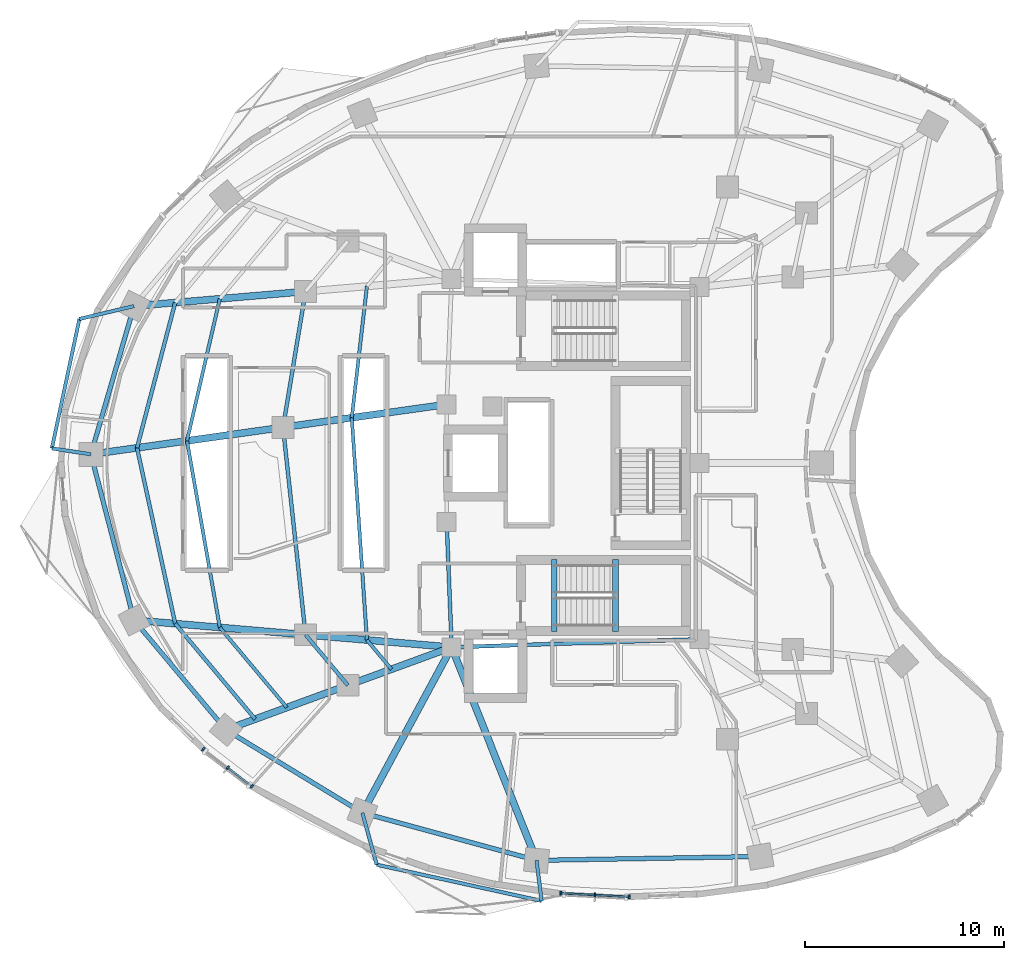
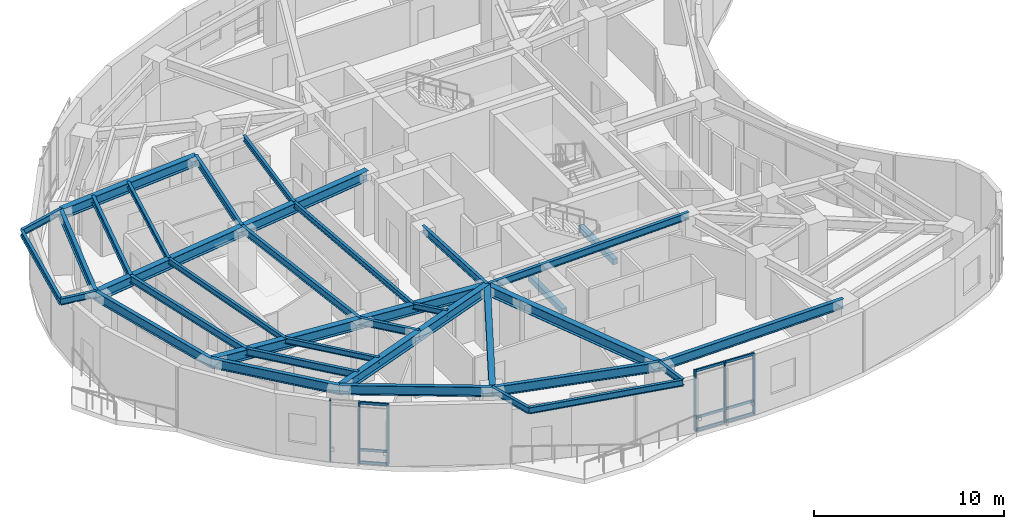
# One storey, part 2 of 14: 37 beams, 15 members, 2 elements without a shape of their own.
"""IFC4 building model written with IfcOpenShell, lengths in metres."""

import ifcopenshell
import ifcopenshell.guid

model = None  # the IFC model being written
_history = None  # IfcOwnerHistory: only IFC2X3 demands one
_inside = {}  # id of a spatial element -> (the spatial element, [elements in it])
_under = {}  # id of a project, library or spatial element -> (it, [spatial elements below it])
_declared = {}  # id of a project -> (the project, [libraries it declares])
_typed = {}  # id of a type object -> (the type object, [elements of that type])
_made_of = {}  # id of a material, layer set ... -> (it, [elements and type objects made of it])


def new_model(schema):
    """Start an empty IFC model of exactly this schema.

    Asked for "IFC4X3", IfcOpenShell would pick the latest addendum, in which some entities
    have other attributes; the version numbers below select the first issue.
    IFC2X3 requires an IfcOwnerHistory on every rooted entity: one is made here for all.
    """
    global model, _history
    if schema == "IFC4X3":
        model = ifcopenshell.file(schema_version=(4, 3, 0, 0))
    else:
        model = ifcopenshell.file(schema=schema)
    _inside.clear()
    _under.clear()
    _declared.clear()
    _typed.clear()
    _made_of.clear()
    _history = None
    if model.schema == "IFC2X3":
        org = make("IfcOrganization", Name="unknown")
        user = make(
            "IfcPersonAndOrganization",
            ThePerson=make("IfcPerson", FamilyName="unknown"),
            TheOrganization=org,
        )
        app = make(
            "IfcApplication",
            ApplicationDeveloper=org,
            Version="unknown",
            ApplicationFullName="unknown",
            ApplicationIdentifier="unknown",
        )
        _history = make(
            "IfcOwnerHistory",
            OwningUser=user,
            OwningApplication=app,
            ChangeAction="ADDED",
            CreationDate=0,
        )
    return model


def make(cls, **values):
    """One entity of the class cls with the attributes given. An attribute that is None is left unset."""
    return model.create_entity(
        cls, **{name: value for name, value in values.items() if value is not None}
    )


def rooted(cls, **values):
    """An entity with a GlobalId (a new one), such as an element, a storey or a relation."""
    return make(cls, GlobalId=ifcopenshell.guid.new(), OwnerHistory=_history, **values)


def si_unit(unit_type, name, prefix=None):
    """IfcSIUnit, for example si_unit("LENGTHUNIT", "METRE", prefix="MILLI")."""
    return make("IfcSIUnit", UnitType=unit_type, Prefix=prefix, Name=name)


def assignment(units):
    """IfcUnitAssignment: the units of a project."""
    return None if units is None else make("IfcUnitAssignment", Units=units)


def point(xyz):
    """IfcCartesianPoint."""
    return None if xyz is None else make("IfcCartesianPoint", Coordinates=xyz)


def direction(xyz):
    """IfcDirection."""
    return None if xyz is None else make("IfcDirection", DirectionRatios=xyz)


def frame(location, z_axis=None, x_axis=None):
    """IfcAxis2Placement3D, a coordinate frame: its origin and axes. An axis left out is left unset."""
    return make(
        "IfcAxis2Placement3D",
        Location=point(location),
        Axis=direction(z_axis),
        RefDirection=direction(x_axis),
    )


def frame_2d(location, x_axis=None):
    """IfcAxis2Placement2D, a coordinate frame in the plane: its origin and x axis."""
    return make(
        "IfcAxis2Placement2D", Location=point(location), RefDirection=direction(x_axis)
    )


def origin():
    """The frame at (0, 0, 0) with its axes left unset."""
    return frame((0.0, 0.0, 0.0))


def origin_2d():
    """The frame at (0, 0) in the plane with its x axis left unset."""
    return frame_2d((0.0, 0.0))


def place(relative_to, where):
    """IfcLocalPlacement: puts the frame where relative to a parent placement (None: the world)."""
    return make(
        "IfcLocalPlacement", PlacementRelTo=relative_to, RelativePlacement=where
    )


def context(
    kind, dimensions, precision=None, world=None, true_north=None, identifier=None
):
    """IfcGeometricRepresentationContext, for example the 3D "Model" context."""
    return make(
        "IfcGeometricRepresentationContext",
        ContextIdentifier=identifier,
        ContextType=kind,
        CoordinateSpaceDimension=dimensions,
        Precision=precision,
        WorldCoordinateSystem=world,
        TrueNorth=true_north,
    )


def subcontext(parent, identifier, kind, view, scale=None):
    """IfcGeometricRepresentationSubContext, for example "Body" below "Model"."""
    return make(
        "IfcGeometricRepresentationSubContext",
        ContextIdentifier=identifier,
        ContextType=kind,
        ParentContext=parent,
        TargetScale=scale,
        TargetView=view,
    )


def project(units=None, contexts=None):
    """IfcProject with its units and contexts."""
    return rooted(
        "IfcProject",
        Name="project",
        RepresentationContexts=contexts,
        UnitsInContext=assignment(units),
    )


def spatial(cls, under=None, at=None, **own):
    """A site, building, storey or space (cls), placed at a placement, below another one or the project."""
    s = rooted(cls, ObjectPlacement=at, **own)
    if under is not None:
        _under.setdefault(under.id(), (under, []))[1].append(s)
    return s


def profile(cls, at=None, kind="AREA", **sizes):
    """A parametric profile (cls). Its sizes go by their IFC names, for example OverallWidth=200.0."""
    return make(cls, ProfileType=kind, Position=at, **sizes)


def rectangle(**sizes):
    """IfcRectangleProfileDef."""
    return profile("IfcRectangleProfileDef", **sizes)


def i_section(**sizes):
    """IfcIShapeProfileDef."""
    return profile("IfcIShapeProfileDef", **sizes)


def extrude(swept, where, along, depth):
    """IfcExtrudedAreaSolid: the profile swept, set in the frame where, extruded along a direction by depth."""
    return make(
        "IfcExtrudedAreaSolid",
        SweptArea=swept,
        Position=where,
        ExtrudedDirection=direction(along),
        Depth=depth,
    )


def shape(context_of_items, identifier, shape_type, items):
    """IfcShapeRepresentation: the items that make up one representation, for example the "Body"."""
    return make(
        "IfcShapeRepresentation",
        ContextOfItems=context_of_items,
        RepresentationIdentifier=identifier,
        RepresentationType=shape_type,
        Items=items,
    )


def material(Name=None, Category=None):
    """IfcMaterial."""
    return make("IfcMaterial", Name=Name, Category=Category)


def layer(
    of_material, thickness, ventilated=None, Name=None, Category=None, Priority=None
):
    """IfcMaterialLayer: one layer of a wall or slab, of a material (None: an air gap)."""
    return make(
        "IfcMaterialLayer",
        Material=of_material,
        LayerThickness=thickness,
        IsVentilated=ventilated,
        Name=Name,
        Category=Category,
        Priority=Priority,
    )


def layer_set(layers, Name=None):
    """IfcMaterialLayerSet."""
    return make("IfcMaterialLayerSet", MaterialLayers=layers, LayerSetName=Name)


def material_profile(
    of_material, cross_section, Name=None, Category=None, Priority=None
):
    """IfcMaterialProfile: a cross section and its material."""
    return make(
        "IfcMaterialProfile",
        Name=Name,
        Material=of_material,
        Profile=cross_section,
        Priority=Priority,
        Category=Category,
    )


def profile_set(profiles, Name=None, composite=None):
    """IfcMaterialProfileSet."""
    return make(
        "IfcMaterialProfileSet",
        Name=Name,
        MaterialProfiles=profiles,
        CompositeProfile=composite,
    )


def made_of(thing, what):
    """Note that an element or type object is made of a material, layer set ...; save() writes the relation."""
    if what is not None:
        _made_of.setdefault(what.id(), (what, []))[1].append(thing)
    return thing


def type_object(cls, material=None, **own):
    """A type object (cls), such as IfcWallType, which elements share."""
    return made_of(rooted(cls, **own), material)


def element(
    cls,
    number,
    at=None,
    inside=None,
    cuts=None,
    type_object=None,
    material=None,
    context=None,
    identifier="Body",
    shape_type=None,
    held_by="IfcProductDefinitionShape",
    body=None,
    shapes=None,
    **own,
):
    """One element of the class cls, such as IfcWall. Its Tag is "e" and its number.

    at: its placement. inside: the storey or other place that contains it. cuts: it is an
    opening in that element (IfcRelVoidsElement). A single representation is given by context,
    identifier, shape_type and body (its items); several are given by shapes. held_by: the class
    of the entity that holds the representations. save() writes the other relations.
    """
    e = rooted(cls, Tag="e%d" % number, ObjectPlacement=at, **own)
    if body is not None:
        shapes = [shape(context, identifier, shape_type, body)]
    if shapes is not None:
        e.Representation = make(held_by, Representations=shapes)
    if inside is not None:
        _inside.setdefault(inside.id(), (inside, []))[1].append(e)
    if cuts is not None:
        rooted(
            "IfcRelVoidsElement", RelatingBuildingElement=cuts, RelatedOpeningElement=e
        )
    if type_object is not None:
        _typed.setdefault(type_object.id(), (type_object, []))[1].append(e)
    return made_of(e, material)


def aggregate(whole, parts):
    """IfcRelAggregates: a whole, such as a stair, and the parts it consists of."""
    return rooted("IfcRelAggregates", RelatingObject=whole, RelatedObjects=parts)


def save(model, path):
    """Write the relations noted so far, then the file.

    IfcRelAggregates (storeys below a building ...), IfcRelContainedInSpatialStructure (elements
    in a storey), IfcRelDefinesByType, IfcRelAssociatesMaterial and IfcRelDeclares: one each for
    every whole, place, type object, material and project.
    """
    for whole, parts in _under.values():
        aggregate(whole, parts)
    for where, things in _inside.values():
        rooted(
            "IfcRelContainedInSpatialStructure",
            RelatedElements=things,
            RelatingStructure=where,
        )
    for kind, things in _typed.values():
        rooted("IfcRelDefinesByType", RelatedObjects=things, RelatingType=kind)
    for what, things in _made_of.values():
        rooted("IfcRelAssociatesMaterial", RelatedObjects=things, RelatingMaterial=what)
    for by, libraries in _declared.values():
        rooted("IfcRelDeclares", RelatingContext=by, RelatedDefinitions=libraries)
    model.write(path)


model = new_model("IFC4")

# Units and contexts
model_context = context("Model", 3, precision=1e-05, world=origin(), true_north=direction((0.0, 1.0)))
body_context = subcontext(model_context, "Body", "Model", "MODEL_VIEW")
ifc_project = project(units=[si_unit("LENGTHUNIT", "METRE"), si_unit("AREAUNIT", "SQUARE_METRE"), si_unit("VOLUMEUNIT", "CUBIC_METRE"), si_unit("PLANEANGLEUNIT", "RADIAN"), si_unit("MASSUNIT", "GRAM", prefix="KILO")], contexts=[model_context])

# Site, building, storey
site_placement = place(None, origin())
site = spatial("IfcSite", under=ifc_project, at=site_placement, CompositionType="ELEMENT")
building_placement = place(site_placement, origin())
building = spatial("IfcBuilding", under=site, at=building_placement, Name="Korentha Bioscience Tower", CompositionType="ELEMENT")
storey_placement = place(building_placement, frame((0.0, 0.0, 90.0)))
storey = spatial("IfcBuildingStorey", under=building, at=storey_placement, Name="L20", CompositionType="ELEMENT", Elevation=90.0)

# Beams
ifc_material_1 = material(Name="Concrete C50", Category="concrete")
ifc_material_profile_1 = material_profile(ifc_material_1, rectangle(XDim=0.280029296875, YDim=0.3798828125, at=origin_2d()), Name="Concrete C50")
ifc_profile_set_1 = profile_set([ifc_material_profile_1], Name="Concrete C50 (ST-HB380)")
beam_type_1 = type_object("IfcBeamType", Name="Concrete Stair Header Beam RC 280x380", PredefinedType="BEAM", material=ifc_profile_set_1)
for number, where, z_axis, x_axis, name in (
    (1, (30.25, 18.550048828125, -0.18994140625), (0.0, 1.0, 0.0), (-1.0, 0.0, 0.0), "L20 ST-2 Concrete Stair Header Beam"),
    (2, (33.330078125, 18.550048828125, 1.909912109375), (0.0, 1.0, 0.0), (-1.0, 0.0, 0.0), "L20 ST-2 Half-Landing Header Beam 1"),
):
    element("IfcBeam", number, at=place(storey_placement, frame(where, z_axis=z_axis, x_axis=x_axis)), inside=storey, type_object=beam_type_1, Name=name, PredefinedType="BEAM", context=body_context, shape_type="SweptSolid", body=[
        extrude(rectangle(XDim=0.280029296875, YDim=0.3798828125, at=origin_2d()), origin(), (0.0, 0.0, 1.0), 3.599853515625),
    ])
ifc_material_2 = material(Name="Steel S355", Category="steel")
ifc_material_profile_2 = material_profile(ifc_material_2, i_section(OverallWidth=0.18994140625, OverallDepth=0.45703125, WebThickness=0.009033203125, FlangeThickness=0.014404296875, at=origin_2d()), Name="Steel S355")
ifc_profile_set_2 = profile_set([ifc_material_profile_2], Name="Steel S355 (MB-460)")
beam_type_2 = type_object("IfcBeamType", Name="Mid-Ring Tie Girder W460x74", PredefinedType="BEAM", material=ifc_profile_set_2)
beam_1_placement = place(storey_placement, frame((17.75927734375, 35.6240234375, 3.67138671875), z_axis=(-0.163580878592, -0.986529926641, 0.0), x_axis=(0.986529926641, -0.163580878592, 0.0)))
element("IfcBeam", 3, at=beam_1_placement, inside=storey, type_object=beam_type_2, Name="L20 Mid-Ring Tie Girder 06", PredefinedType="BEAM", context=body_context, shape_type="SweptSolid", body=[
    extrude(i_section(OverallWidth=0.18994140625, OverallDepth=0.45703125, WebThickness=0.009033203125, FlangeThickness=0.014404296875, at=origin_2d()), origin(), (0.0, 0.0, 1.0), 6.920654296875),
])
beam_2_placement = place(storey_placement, frame((16.627197265625, 28.796630859375, 3.67138671875), z_axis=(0.108002632645, -0.994150607977, 0.0), x_axis=(0.994150607977, 0.108002632645, 0.0)))
element("IfcBeam", 4, at=beam_2_placement, inside=storey, type_object=beam_type_2, Name="L20 Mid-Ring Tie Girder 07", PredefinedType="BEAM", context=body_context, shape_type="SweptSolid", body=[
    extrude(i_section(OverallWidth=0.18994140625, OverallDepth=0.45703125, WebThickness=0.009033203125, FlangeThickness=0.014404296875, at=origin_2d()), origin(), (0.0, 0.0, 1.0), 10.48193359375),
])
beam_3_placement = place(storey_placement, frame((17.75927734375, 18.3759765625, 3.67138671875), z_axis=(0.642121371708, -0.766602989817, 0.0), x_axis=(0.766602989817, 0.642121371708, 0.0)))
element("IfcBeam", 5, at=beam_3_placement, inside=storey, type_object=beam_type_2, Name="L20 Mid-Ring Tie Girder 08", PredefinedType="BEAM", context=body_context, shape_type="SweptSolid", body=[
    extrude(i_section(OverallWidth=0.18994140625, OverallDepth=0.45703125, WebThickness=0.009033203125, FlangeThickness=0.014404296875, at=origin_2d()), origin(), (0.0, 0.0, 1.0), 3.306640625),
])
beam_4_placement = place(storey_placement, frame((24.85009765625, 24.050048828125, 3.67138671875), z_axis=(0.039651025576, -0.999213588864, 0.0), x_axis=(0.999213588864, 0.039651025576, 0.0)))
element("IfcBeam", 6, at=beam_4_placement, inside=storey, type_object=beam_type_2, Name="L20 Core Ring Tie Girder 04", PredefinedType="BEAM", context=body_context, shape_type="SweptSolid", body=[
    extrude(i_section(OverallWidth=0.18994140625, OverallDepth=0.45703125, WebThickness=0.009033203125, FlangeThickness=0.014404296875, at=origin_2d()), origin(), (0.0, 0.0, 1.0), 6.304931640625),
])
beam_5_placement = place(storey_placement, frame((25.10009765625, 17.75, 3.67138671875), z_axis=(0.999484526071, 0.032104238723, 0.0), x_axis=(-0.032104238723, 0.999484526071, 0.0)))
element("IfcBeam", 7, at=beam_5_placement, inside=storey, type_object=beam_type_2, Name="L20 Core Ring Tie Girder 05", PredefinedType="BEAM", context=body_context, shape_type="SweptSolid", body=[
    extrude(i_section(OverallWidth=0.18994140625, OverallDepth=0.45703125, WebThickness=0.009033203125, FlangeThickness=0.014404296875, at=origin_2d()), origin(), (0.0, 0.0, 1.0), 12.456298828125),
])

# Curtain wall, members
ifc_material_3 = material(Name="Thermally Broken Aluminium Frame", Category="aluminium")
ifc_layer = layer(ifc_material_3, 0.219970703125, Name="Thermally Broken Aluminium Frame")
ifc_layer_set = layer_set([ifc_layer], Name="Thermally Broken Aluminium Frame (CW-T2)")
curtain_wall_type = type_object("IfcCurtainWallType", Name="Solar-Screened Lab Unitised Curtain Wall CW-T2", PredefinedType="USERDEFINED", material=ifc_layer_set)
curtain_wall_1_placement = place(storey_placement, origin())
curtain_wall_1 = element("IfcCurtainWall", 8, at=curtain_wall_1_placement, inside=storey, type_object=curtain_wall_type, Name="L20 Curtain Wall 25", ObjectType="UNITISED", PredefinedType="USERDEFINED")
ifc_material_4 = material(Name="Anodised Aluminium 6063-T6", Category="aluminium")
ifc_material_profile_3 = material_profile(ifc_material_4, rectangle(XDim=0.090087890625, YDim=0.199951171875, at=origin_2d()), Name="Anodised Aluminium 6063-T6")
ifc_profile_set_3 = profile_set([ifc_material_profile_3], Name="Anodised Aluminium 6063-T6 (CW-MUL)")
member_type_1 = type_object("IfcMemberType", Name="Mullion RECT 90x200", PredefinedType="MULLION", material=ifc_profile_set_3)
member_1_placement = place(storey_placement, frame((12.624267578125, 12.62890625, 0.0), z_axis=(0.0, 0.0, 1.0), x_axis=(0.794499603893, -0.607264669986, 0.0)))
member_1 = element("IfcMember", 9, at=member_1_placement, type_object=member_type_1, Name="CW-L20-25 Mullion 1", PredefinedType="MULLION", context=body_context, shape_type="SweptSolid", body=[
    extrude(rectangle(XDim=0.090087890625, YDim=0.199951171875, at=origin_2d()), origin(), (0.0, 0.0, 1.0), 3.89990234375),
])
member_2_placement = place(storey_placement, frame((13.844970703125, 11.69580078125, 0.0), z_axis=(0.0, 0.0, 1.0), x_axis=(0.794499603893, -0.607264669986, 0.0)))
member_2 = element("IfcMember", 10, at=member_2_placement, type_object=member_type_1, Name="CW-L20-25 Mullion 2", PredefinedType="MULLION", context=body_context, shape_type="SweptSolid", body=[
    extrude(rectangle(XDim=0.090087890625, YDim=0.199951171875, at=origin_2d()), origin(), (0.0, 0.0, 1.0), 3.89990234375),
])
member_3_placement = place(storey_placement, frame((15.0654296875, 10.7626953125, 0.0), z_axis=(0.0, 0.0, 1.0), x_axis=(0.794499603893, -0.607264669986, 0.0)))
member_3 = element("IfcMember", 11, at=member_3_placement, type_object=member_type_1, Name="CW-L20-25 Mullion 3", PredefinedType="MULLION", context=body_context, shape_type="SweptSolid", body=[
    extrude(rectangle(XDim=0.090087890625, YDim=0.199951171875, at=origin_2d()), origin(), (0.0, 0.0, 1.0), 3.89990234375),
])

curtain_wall_2_placement = place(storey_placement, origin())
curtain_wall_2 = element("IfcCurtainWall", 12, at=curtain_wall_2_placement, inside=storey, type_object=curtain_wall_type, Name="L20 Curtain Wall 31", ObjectType="UNITISED", PredefinedType="USERDEFINED")
member_4_placement = place(storey_placement, frame((30.571533203125, 5.39111328125, 0.0), z_axis=(0.0, 0.0, 1.0), x_axis=(0.998673231344, -0.051495407527, 0.0)))
member_4 = element("IfcMember", 13, at=member_4_placement, type_object=member_type_1, Name="CW-L20-31 Mullion 1", PredefinedType="MULLION", context=body_context, shape_type="SweptSolid", body=[
    extrude(rectangle(XDim=0.090087890625, YDim=0.199951171875, at=origin_2d()), origin(), (0.0, 0.0, 1.0), 3.89990234375),
])
member_5_placement = place(storey_placement, frame((32.301025390625, 5.302001953125, 0.0), z_axis=(0.0, 0.0, 1.0), x_axis=(0.998673231344, -0.051495407527, 0.0)))
member_5 = element("IfcMember", 14, at=member_5_placement, type_object=member_type_1, Name="CW-L20-31 Mullion 2", PredefinedType="MULLION", context=body_context, shape_type="SweptSolid", body=[
    extrude(rectangle(XDim=0.090087890625, YDim=0.199951171875, at=origin_2d()), origin(), (0.0, 0.0, 1.0), 3.89990234375),
])
member_6_placement = place(storey_placement, frame((34.03076171875, 5.212646484375, 0.0), z_axis=(0.0, 0.0, 1.0), x_axis=(0.998673231344, -0.051495407527, 0.0)))
member_6 = element("IfcMember", 15, at=member_6_placement, type_object=member_type_1, Name="CW-L20-31 Mullion 3", PredefinedType="MULLION", context=body_context, shape_type="SweptSolid", body=[
    extrude(rectangle(XDim=0.090087890625, YDim=0.199951171875, at=origin_2d()), origin(), (0.0, 0.0, 1.0), 3.89990234375),
])

# Beams
ifc_material_profile_4 = material_profile(ifc_material_2, i_section(OverallWidth=0.22802734375, OverallDepth=0.60791015625, WebThickness=0.01123046875, FlangeThickness=0.017333984375, at=origin_2d()), Name="Steel S355")
ifc_profile_set_4 = profile_set([ifc_material_profile_4], Name="Steel S355 (SB-610)")
beam_type_3 = type_object("IfcBeamType", Name="Perimeter Ring Spandrel Girder W610x113", PredefinedType="SPANDREL", material=ifc_profile_set_4)
beam_6_placement = place(storey_placement, frame((9.141845703125, 34.889404296875, 3.595947265625), z_axis=(-0.279486251653, -0.960149694129, 0.0), x_axis=(0.960149694129, -0.279486251653, 0.0)))
element("IfcBeam", 16, at=beam_6_placement, inside=storey, type_object=beam_type_3, Name="L20 Perimeter Spandrel Girder 06", PredefinedType="SPANDREL", context=body_context, shape_type="SweptSolid", body=[
    extrude(i_section(OverallWidth=0.22802734375, OverallDepth=0.60791015625, WebThickness=0.01123046875, FlangeThickness=0.017333984375, at=origin_2d()), origin(), (0.0, 0.0, 1.0), 7.756103515625),
])
beam_7_placement = place(storey_placement, frame((6.97412109375, 27.4423828125, 3.595947265625), z_axis=(0.251792692694, -0.96778119423, 0.0), x_axis=(0.96778119423, 0.251792692694, 0.0)))
element("IfcBeam", 17, at=beam_7_placement, inside=storey, type_object=beam_type_3, Name="L20 Perimeter Spandrel Girder 07", PredefinedType="SPANDREL", context=body_context, shape_type="SweptSolid", body=[
    extrude(i_section(OverallWidth=0.22802734375, OverallDepth=0.60791015625, WebThickness=0.01123046875, FlangeThickness=0.017333984375, at=origin_2d()), origin(), (0.0, 0.0, 1.0), 8.609130859375),
])
beam_8_placement = place(storey_placement, frame((9.141845703125, 19.110595703125, 3.595947265625), z_axis=(0.642126556076, -0.76659864726, 0.0), x_axis=(0.76659864726, 0.642126556076, 0.0)))
element("IfcBeam", 18, at=beam_8_placement, inside=storey, type_object=beam_type_3, Name="L20 Perimeter Spandrel Girder 08", PredefinedType="SPANDREL", context=body_context, shape_type="SweptSolid", body=[
    extrude(i_section(OverallWidth=0.22802734375, OverallDepth=0.60791015625, WebThickness=0.01123046875, FlangeThickness=0.017333984375, at=origin_2d()), origin(), (0.0, 0.0, 1.0), 7.1884765625),
])
beam_9_placement = place(storey_placement, frame((13.7578125, 13.599853515625, 3.595947265625), z_axis=(0.854461040474, -0.51951547649, 0.0), x_axis=(0.51951547649, 0.854461040474, 0.0)))
element("IfcBeam", 19, at=beam_9_placement, inside=storey, type_object=beam_type_3, Name="L20 Perimeter Spandrel Girder 09", PredefinedType="SPANDREL", context=body_context, shape_type="SweptSolid", body=[
    extrude(i_section(OverallWidth=0.22802734375, OverallDepth=0.60791015625, WebThickness=0.01123046875, FlangeThickness=0.017333984375, at=origin_2d()), origin(), (0.0, 0.0, 1.0), 8.025146484375),
])
beam_10_placement = place(storey_placement, frame((20.614990234375, 9.4306640625, 3.595947265625), z_axis=(0.964659386444, -0.263500034431, 0.0), x_axis=(0.263500034431, 0.964659386444, 0.0)))
element("IfcBeam", 20, at=beam_10_placement, inside=storey, type_object=beam_type_3, Name="L20 Perimeter Spandrel Girder 10", PredefinedType="SPANDREL", context=body_context, shape_type="SweptSolid", body=[
    extrude(i_section(OverallWidth=0.22802734375, OverallDepth=0.60791015625, WebThickness=0.01123046875, FlangeThickness=0.017333984375, at=origin_2d()), origin(), (0.0, 0.0, 1.0), 9.06982421875),
])
beam_11_placement = place(storey_placement, frame((29.3642578125, 7.040771484375, 3.595947265625), z_axis=(0.999850566826, 0.017287105523, 0.0), x_axis=(-0.017287105523, 0.999850566826, 0.0)))
element("IfcBeam", 21, at=beam_11_placement, inside=storey, type_object=beam_type_3, Name="L20 Perimeter Spandrel Girder 11", PredefinedType="SPANDREL", context=body_context, shape_type="SweptSolid", body=[
    extrude(i_section(OverallWidth=0.22802734375, OverallDepth=0.60791015625, WebThickness=0.01123046875, FlangeThickness=0.017333984375, at=origin_2d()), origin(), (0.0, 0.0, 1.0), 11.24169921875),
])
ifc_material_profile_5 = material_profile(ifc_material_2, i_section(OverallWidth=0.18994140625, OverallDepth=0.45703125, WebThickness=0.009033203125, FlangeThickness=0.014404296875, at=origin_2d()), Name="Steel S355")
ifc_profile_set_5 = profile_set([ifc_material_profile_5], Name="Steel S355 (RB-460)")
beam_type_4 = type_object("IfcBeamType", Name="Radial Laboratory Beam W460x74", PredefinedType="BEAM", material=ifc_profile_set_5)
beam_12_placement = place(storey_placement, frame((11.2099609375, 35.065673828125, 3.67138671875), z_axis=(-0.254294231014, -0.967126901742, 0.0), x_axis=(0.967126901742, -0.254294231014, 0.0)))
element("IfcBeam", 22, at=beam_12_placement, inside=storey, type_object=beam_type_4, Name="L20 Secondary Floor Beam JSTO-06", PredefinedType="BEAM", context=body_context, shape_type="SweptSolid", body=[
    extrude(i_section(OverallWidth=0.18994140625, OverallDepth=0.45703125, WebThickness=0.009033203125, FlangeThickness=0.014404296875, at=origin_2d()), origin(), (0.0, 0.0, 1.0), 7.546142578125),
])
beam_13_placement = place(storey_placement, frame((9.291015625, 27.767578125, 3.67138671875), z_axis=(0.212289478944, -0.977206824132, 0.0), x_axis=(0.977206824132, 0.212289478944, 0.0)))
element("IfcBeam", 23, at=beam_13_placement, inside=storey, type_object=beam_type_4, Name="L20 Secondary Floor Beam JSTO-07", PredefinedType="BEAM", context=body_context, shape_type="SweptSolid", body=[
    extrude(i_section(OverallWidth=0.18994140625, OverallDepth=0.45703125, WebThickness=0.009033203125, FlangeThickness=0.014404296875, at=origin_2d()), origin(), (0.0, 0.0, 1.0), 9.039306640625),
])
beam_14_placement = place(storey_placement, frame((11.2099609375, 18.934326171875, 3.67138671875), z_axis=(0.642128156066, -0.766597307057, 0.0), x_axis=(0.766597307057, 0.642128156066, 0.0)))
element("IfcBeam", 24, at=beam_14_placement, inside=storey, type_object=beam_type_4, Name="L20 Secondary Floor Beam JSTO-08", PredefinedType="BEAM", context=body_context, shape_type="SweptSolid", body=[
    extrude(i_section(OverallWidth=0.18994140625, OverallDepth=0.45703125, WebThickness=0.009033203125, FlangeThickness=0.014404296875, at=origin_2d()), origin(), (0.0, 0.0, 1.0), 6.257080078125),
])
ifc_material_profile_6 = material_profile(ifc_material_2, i_section(OverallWidth=0.35009765625, OverallDepth=0.64990234375, WebThickness=0.01611328125, FlangeThickness=0.02490234375, at=origin_2d()), Name="Steel S355")
ifc_profile_set_6 = profile_set([ifc_material_profile_6], Name="Steel S355 (RB-650)")
beam_type_5 = type_object("IfcBeamType", Name="Radial Laboratory Girder CVS 650x208", PredefinedType="BEAM", material=ifc_profile_set_6)
beam_15_placement = place(storey_placement, frame((17.75927734375, 35.6240234375, 3.574951171875), z_axis=(-0.996386071548, -0.084939957767, 0.0), x_axis=(0.084939957767, -0.996386071548, 0.0)))
element("IfcBeam", 25, at=beam_15_placement, inside=storey, type_object=beam_type_5, Name="L20 Outer Radial Girder 06", PredefinedType="BEAM", context=body_context, shape_type="SweptSolid", body=[
    extrude(i_section(OverallWidth=0.35009765625, OverallDepth=0.64990234375, WebThickness=0.01611328125, FlangeThickness=0.02490234375, at=origin_2d()), origin(), (0.0, 0.0, 1.0), 8.648681640625),
])
beam_16_placement = place(storey_placement, frame((24.85009765625, 29.949951171875, 3.574951171875), z_axis=(-0.990306752817, -0.13889757134, 0.0), x_axis=(0.13889757134, -0.990306752817, 0.0)))
element("IfcBeam", 26, at=beam_16_placement, inside=storey, type_object=beam_type_5, Name="L20 Inner Radial Girder 07", PredefinedType="BEAM", context=body_context, shape_type="SweptSolid", body=[
    extrude(i_section(OverallWidth=0.35009765625, OverallDepth=0.64990234375, WebThickness=0.01611328125, FlangeThickness=0.02490234375, at=origin_2d()), origin(), (0.0, 0.0, 1.0), 8.303466796875),
])
beam_17_placement = place(storey_placement, frame((16.627197265625, 28.796630859375, 3.574951171875), z_axis=(-0.99030201931, -0.138931315944, 0.0), x_axis=(0.138931315944, -0.99030201931, 0.0)))
element("IfcBeam", 27, at=beam_17_placement, inside=storey, type_object=beam_type_5, Name="L20 Outer Radial Girder 07", PredefinedType="BEAM", context=body_context, shape_type="SweptSolid", body=[
    extrude(i_section(OverallWidth=0.35009765625, OverallDepth=0.64990234375, WebThickness=0.01611328125, FlangeThickness=0.02490234375, at=origin_2d()), origin(), (0.0, 0.0, 1.0), 9.74755859375),
])
beam_18_placement = place(storey_placement, frame((25.10009765625, 17.75, 3.574951171875), z_axis=(-0.996383934197, 0.084965026183, 0.0), x_axis=(-0.084965026183, -0.996383934197, 0.0)))
element("IfcBeam", 28, at=beam_18_placement, inside=storey, type_object=beam_type_5, Name="L20 Inner Radial Girder 08", PredefinedType="BEAM", context=body_context, shape_type="SweptSolid", body=[
    extrude(i_section(OverallWidth=0.35009765625, OverallDepth=0.64990234375, WebThickness=0.01611328125, FlangeThickness=0.02490234375, at=origin_2d()), origin(), (0.0, 0.0, 1.0), 7.367431640625),
])
beam_19_placement = place(storey_placement, frame((17.75927734375, 18.3759765625, 3.574951171875), z_axis=(-0.996386071548, 0.084939957767, 0.0), x_axis=(-0.084939957767, -0.996386071548, 0.0)))
element("IfcBeam", 29, at=beam_19_placement, inside=storey, type_object=beam_type_5, Name="L20 Outer Radial Girder 08", PredefinedType="BEAM", context=body_context, shape_type="SweptSolid", body=[
    extrude(i_section(OverallWidth=0.35009765625, OverallDepth=0.64990234375, WebThickness=0.01611328125, FlangeThickness=0.02490234375, at=origin_2d()), origin(), (0.0, 0.0, 1.0), 8.648681640625),
])
beam_20_placement = place(storey_placement, frame((25.10009765625, 17.75, 3.574951171875), z_axis=(-0.939118010396, -0.343594765022, 0.0), x_axis=(0.343594765022, -0.939118010396, 0.0)))
element("IfcBeam", 30, at=beam_20_placement, inside=storey, type_object=beam_type_5, Name="L20 Inner Radial Girder 09", PredefinedType="BEAM", context=body_context, shape_type="SweptSolid", body=[
    extrude(i_section(OverallWidth=0.35009765625, OverallDepth=0.64990234375, WebThickness=0.01611328125, FlangeThickness=0.02490234375, at=origin_2d()), origin(), (0.0, 0.0, 1.0), 5.5556640625),
])
beam_21_placement = place(storey_placement, frame((19.882568359375, 15.841064453125, 3.574951171875), z_axis=(-0.939100755225, -0.343641923425, 0.0), x_axis=(0.343641923425, -0.939100755225, 0.0)))
element("IfcBeam", 31, at=beam_21_placement, inside=storey, type_object=beam_type_5, Name="L20 Outer Radial Girder 09", PredefinedType="BEAM", context=body_context, shape_type="SweptSolid", body=[
    extrude(i_section(OverallWidth=0.35009765625, OverallDepth=0.64990234375, WebThickness=0.01611328125, FlangeThickness=0.02490234375, at=origin_2d()), origin(), (0.0, 0.0, 1.0), 6.52197265625),
])
beam_22_placement = place(storey_placement, frame((25.10009765625, 17.75, 3.574951171875), z_axis=(-0.474548018732, -0.880229616587, 0.0), x_axis=(0.880229616587, -0.474548018732, 0.0)))
element("IfcBeam", 32, at=beam_22_placement, inside=storey, type_object=beam_type_5, Name="L20 Radial Girder 10", PredefinedType="BEAM", context=body_context, shape_type="SweptSolid", body=[
    extrude(i_section(OverallWidth=0.35009765625, OverallDepth=0.64990234375, WebThickness=0.01611328125, FlangeThickness=0.02490234375, at=origin_2d()), origin(), (0.0, 0.0, 1.0), 9.451416015625),
])
beam_23_placement = place(storey_placement, frame((25.10009765625, 17.75, 3.574951171875), z_axis=(0.369929528493, -0.929059817207, 0.0), x_axis=(0.929059817207, 0.369929528493, 0.0)))
element("IfcBeam", 33, at=beam_23_placement, inside=storey, type_object=beam_type_5, Name="L20 Radial Girder 11", PredefinedType="BEAM", context=body_context, shape_type="SweptSolid", body=[
    extrude(i_section(OverallWidth=0.35009765625, OverallDepth=0.64990234375, WebThickness=0.01611328125, FlangeThickness=0.02490234375, at=origin_2d()), origin(), (0.0, 0.0, 1.0), 11.52685546875),
])
ifc_material_profile_7 = material_profile(ifc_material_2, i_section(OverallWidth=0.1708984375, OverallDepth=0.35498046875, WebThickness=0.007080078125, FlangeThickness=0.01171875, at=origin_2d()), Name="Steel S355")
ifc_profile_set_7 = profile_set([ifc_material_profile_7], Name="Steel S355 (JB-360)")
beam_type_6 = type_object("IfcBeamType", Name="Secondary Laboratory Joist W360x51", PredefinedType="JOIST", material=ifc_profile_set_7)
beam_24_placement = place(storey_placement, frame((13.450439453125, 35.256591796875, 3.722412109375), z_axis=(-0.225236780605, -0.974304055551, 0.0), x_axis=(0.974304055551, -0.225236780605, 0.0)))
element("IfcBeam", 34, at=beam_24_placement, inside=storey, type_object=beam_type_6, Name="L20 Secondary Floor Beam JST-06", PredefinedType="JOIST", context=body_context, shape_type="SweptSolid", body=[
    extrude(i_section(OverallWidth=0.1708984375, OverallDepth=0.35498046875, WebThickness=0.007080078125, FlangeThickness=0.01171875, at=origin_2d()), origin(), (0.0, 0.0, 1.0), 7.3251953125),
])
beam_25_placement = place(storey_placement, frame((20.84228515625, 35.886962890625, 3.722412109375), z_axis=(-0.114512623722, -0.993421793101, 0.0), x_axis=(0.993421793101, -0.114512623722, 0.0)))
element("IfcBeam", 35, at=beam_25_placement, inside=storey, type_object=beam_type_6, Name="L20 Inner Bay Joist 06", PredefinedType="JOIST", context=body_context, shape_type="SweptSolid", body=[
    extrude(i_section(OverallWidth=0.1708984375, OverallDepth=0.35498046875, WebThickness=0.007080078125, FlangeThickness=0.01171875, at=origin_2d()), origin(), (0.0, 0.0, 1.0), 6.649658203125),
])
beam_26_placement = place(storey_placement, frame((11.800537109375, 28.11962890625, 3.722412109375), z_axis=(0.173304009699, -0.984868377105, 0.0), x_axis=(0.984868377105, 0.173304009699, 0.0)))
element("IfcBeam", 36, at=beam_26_placement, inside=storey, type_object=beam_type_6, Name="L20 Secondary Floor Beam JST-07", PredefinedType="JOIST", context=body_context, shape_type="SweptSolid", body=[
    extrude(i_section(OverallWidth=0.1708984375, OverallDepth=0.35498046875, WebThickness=0.007080078125, FlangeThickness=0.01171875, at=origin_2d()), origin(), (0.0, 0.0, 1.0), 9.520263671875),
])
beam_27_placement = place(storey_placement, frame((20.080810546875, 29.281005859375, 3.722412109375), z_axis=(0.068025861704, -0.997683558118, 0.0), x_axis=(0.997683558118, 0.068025861704, 0.0)))
element("IfcBeam", 37, at=beam_27_placement, inside=storey, type_object=beam_type_6, Name="L20 Inner Bay Joist 07", PredefinedType="JOIST", context=body_context, shape_type="SweptSolid", body=[
    extrude(i_section(OverallWidth=0.1708984375, OverallDepth=0.35498046875, WebThickness=0.007080078125, FlangeThickness=0.01171875, at=origin_2d()), origin(), (0.0, 0.0, 1.0), 11.19384765625),
])
beam_28_placement = place(storey_placement, frame((13.450439453125, 18.743408203125, 3.722412109375), z_axis=(0.642140812018, -0.76658670582, 0.0), x_axis=(0.76658670582, 0.642140812018, 0.0)))
element("IfcBeam", 38, at=beam_28_placement, inside=storey, type_object=beam_type_6, Name="L20 Secondary Floor Beam JST-08", PredefinedType="JOIST", context=body_context, shape_type="SweptSolid", body=[
    extrude(i_section(OverallWidth=0.1708984375, OverallDepth=0.35498046875, WebThickness=0.007080078125, FlangeThickness=0.01171875, at=origin_2d()), origin(), (0.0, 0.0, 1.0), 5.247802734375),
])
beam_29_placement = place(storey_placement, frame((20.84228515625, 18.113037109375, 3.722412109375), z_axis=(0.64218549873, -0.766549271229, 0.0), x_axis=(0.766549271229, 0.64218549873, 0.0)))
element("IfcBeam", 39, at=beam_29_placement, inside=storey, type_object=beam_type_6, Name="L20 Inner Bay Joist 08", PredefinedType="JOIST", context=body_context, shape_type="SweptSolid", body=[
    extrude(i_section(OverallWidth=0.1708984375, OverallDepth=0.35498046875, WebThickness=0.007080078125, FlangeThickness=0.01171875, at=origin_2d()), origin(), (0.0, 0.0, 1.0), 1.91796875),
])
ifc_material_profile_8 = material_profile(ifc_material_2, i_section(OverallWidth=0.177978515625, OverallDepth=0.406982421875, WebThickness=0.0078125, FlangeThickness=0.0126953125, at=origin_2d()), Name="Steel S355")
ifc_profile_set_8 = profile_set([ifc_material_profile_8], Name="Steel S355 (CB-410)")
beam_type_7 = type_object("IfcBeamType", Name="Sun-Ledge Cantilever Beam W410x60", PredefinedType="BEAM", material=ifc_profile_set_8)
beam_30_placement = place(storey_placement, frame((9.141845703125, 34.889404296875, 3.698486328125), z_axis=(-0.973303545012, -0.229521696725, 0.0), x_axis=(0.229521696725, -0.973303545012, 0.0)))
element("IfcBeam", 40, at=beam_30_placement, inside=storey, type_object=beam_type_7, Name="L20 Balcony Cantilever Bracket A-L21-02", PredefinedType="BEAM", context=body_context, shape_type="SweptSolid", body=[
    extrude(i_section(OverallWidth=0.177978515625, OverallDepth=0.406982421875, WebThickness=0.0078125, FlangeThickness=0.0126953125, at=origin_2d()), origin(), (0.0, 0.0, 1.0), 2.82080078125),
])
beam_31_placement = place(storey_placement, frame((6.97412109375, 27.4423828125, 3.698486328125), z_axis=(-0.988449844693, 0.151548357058, 0.0), x_axis=(-0.151548357058, -0.988449844693, 0.0)))
element("IfcBeam", 41, at=beam_31_placement, inside=storey, type_object=beam_type_7, Name="L20 Balcony Cantilever Bracket B-L21-02", PredefinedType="BEAM", context=body_context, shape_type="SweptSolid", body=[
    extrude(i_section(OverallWidth=0.177978515625, OverallDepth=0.406982421875, WebThickness=0.0078125, FlangeThickness=0.0126953125, at=origin_2d()), origin(), (0.0, 0.0, 1.0), 1.983154296875),
])
beam_32_placement = place(storey_placement, frame((6.396240234375, 34.241943359375, 3.698486328125), z_axis=(-0.208043322496, -0.978119612299, 0.0), x_axis=(0.978119612299, -0.208043322496, 0.0)))
element("IfcBeam", 42, at=beam_32_placement, inside=storey, type_object=beam_type_7, Name="L20 Balcony Edge Trimmer Beam L21-02", PredefinedType="BEAM", context=body_context, shape_type="SweptSolid", body=[
    extrude(i_section(OverallWidth=0.177978515625, OverallDepth=0.406982421875, WebThickness=0.0078125, FlangeThickness=0.0126953125, at=origin_2d()), origin(), (0.0, 0.0, 1.0), 6.644287109375),
])
beam_33_placement = place(storey_placement, frame((20.614990234375, 9.4306640625, 3.698486328125), z_axis=(0.26487511254, -0.964282725531, 0.0), x_axis=(0.964282725531, 0.26487511254, 0.0)))
element("IfcBeam", 43, at=beam_33_placement, inside=storey, type_object=beam_type_7, Name="L20 Balcony Cantilever Bracket A-L21-03", PredefinedType="BEAM", context=body_context, shape_type="SweptSolid", body=[
    extrude(i_section(OverallWidth=0.177978515625, OverallDepth=0.406982421875, WebThickness=0.0078125, FlangeThickness=0.0126953125, at=origin_2d()), origin(), (0.0, 0.0, 1.0), 2.702392578125),
])
beam_34_placement = place(storey_placement, frame((29.3642578125, 7.040771484375, 3.698486328125), z_axis=(0.124078617268, -0.992272390393, 0.0), x_axis=(0.992272390393, 0.124078617268, 0.0)))
element("IfcBeam", 44, at=beam_34_placement, inside=storey, type_object=beam_type_7, Name="L20 Balcony Cantilever Bracket B-L21-03", PredefinedType="BEAM", context=body_context, shape_type="SweptSolid", body=[
    extrude(i_section(OverallWidth=0.177978515625, OverallDepth=0.406982421875, WebThickness=0.0078125, FlangeThickness=0.0126953125, at=origin_2d()), origin(), (0.0, 0.0, 1.0), 2.05419921875),
])
beam_35_placement = place(storey_placement, frame((21.330810546875, 6.82470703125, 3.698486328125), z_axis=(0.976673314546, -0.21473061415, 0.0), x_axis=(0.21473061415, 0.976673314546, 0.0)))
element("IfcBeam", 45, at=beam_35_placement, inside=storey, type_object=beam_type_7, Name="L20 Balcony Edge Trimmer Beam L21-03", PredefinedType="BEAM", context=body_context, shape_type="SweptSolid", body=[
    extrude(i_section(OverallWidth=0.177978515625, OverallDepth=0.406982421875, WebThickness=0.0078125, FlangeThickness=0.0126953125, at=origin_2d()), origin(), (0.0, 0.0, 1.0), 8.486328125),
])

# Member
ifc_material_profile_9 = material_profile(ifc_material_4, rectangle(XDim=0.090087890625, YDim=0.159912109375, at=origin_2d()), Name="Anodised Aluminium 6063-T6")
ifc_profile_set_9 = profile_set([ifc_material_profile_9], Name="Anodised Aluminium 6063-T6 (CW-TRN)")
member_type_2 = type_object("IfcMemberType", Name="Transom RECT 90x160", PredefinedType="USERDEFINED", material=ifc_profile_set_9)
member_7_placement = place(storey_placement, frame((13.880615234375, 11.66845703125, 0.044921875), z_axis=(0.794477589546, -0.607293470828, 0.0), x_axis=(0.607293470828, 0.794477589546, 0.0)))
member_7 = element("IfcMember", 46, at=member_7_placement, type_object=member_type_2, Name="CW-L20-25 Bay 2 Transom 1", ObjectType="TRANSOM", PredefinedType="USERDEFINED", context=body_context, shape_type="SweptSolid", body=[
    extrude(rectangle(XDim=0.090087890625, YDim=0.159912109375, at=origin_2d()), origin(), (0.0, 0.0, 1.0), 1.446533203125),
])

member_8_placement = place(storey_placement, frame((13.880615234375, 11.66845703125, 0.85009765625), z_axis=(0.794477589546, -0.607293470828, 0.0), x_axis=(0.607293470828, 0.794477589546, 0.0)))
member_8 = element("IfcMember", 47, at=member_8_placement, type_object=member_type_2, Name="CW-L20-25 Bay 2 Transom 2", ObjectType="TRANSOM", PredefinedType="USERDEFINED", context=body_context, shape_type="SweptSolid", body=[
    extrude(rectangle(XDim=0.090087890625, YDim=0.159912109375, at=origin_2d()), origin(), (0.0, 0.0, 1.0), 1.446533203125),
])

member_9_placement = place(storey_placement, frame((13.880615234375, 11.66845703125, 3.85498046875), z_axis=(0.794477589546, -0.607293470828, 0.0), x_axis=(0.607293470828, 0.794477589546, 0.0)))
member_9 = element("IfcMember", 48, at=member_9_placement, type_object=member_type_2, Name="CW-L20-25 Bay 2 Transom 3", ObjectType="TRANSOM", PredefinedType="USERDEFINED", context=body_context, shape_type="SweptSolid", body=[
    extrude(rectangle(XDim=0.090087890625, YDim=0.159912109375, at=origin_2d()), origin(), (0.0, 0.0, 1.0), 1.446533203125),
])

aggregate(curtain_wall_1, [member_1, member_2, member_3, member_7, member_8, member_9])

member_10_placement = place(storey_placement, frame((30.616455078125, 5.388916015625, 0.044921875), z_axis=(0.998667892989, -0.05159883247, 0.0), x_axis=(0.05159883247, 0.998667892989, 0.0)))
member_10 = element("IfcMember", 49, at=member_10_placement, type_object=member_type_2, Name="CW-L20-31 Bay 1 Transom 1", ObjectType="TRANSOM", PredefinedType="USERDEFINED", context=body_context, shape_type="SweptSolid", body=[
    extrude(rectangle(XDim=0.090087890625, YDim=0.159912109375, at=origin_2d()), origin(), (0.0, 0.0, 1.0), 1.641845703125),
])

member_11_placement = place(storey_placement, frame((30.616455078125, 5.388916015625, 0.85009765625), z_axis=(0.998667892989, -0.05159883247, 0.0), x_axis=(0.05159883247, 0.998667892989, 0.0)))
member_11 = element("IfcMember", 50, at=member_11_placement, type_object=member_type_2, Name="CW-L20-31 Bay 1 Transom 2", ObjectType="TRANSOM", PredefinedType="USERDEFINED", context=body_context, shape_type="SweptSolid", body=[
    extrude(rectangle(XDim=0.090087890625, YDim=0.159912109375, at=origin_2d()), origin(), (0.0, 0.0, 1.0), 1.641845703125),
])

member_12_placement = place(storey_placement, frame((30.616455078125, 5.388916015625, 3.85498046875), z_axis=(0.998667892989, -0.05159883247, 0.0), x_axis=(0.05159883247, 0.998667892989, 0.0)))
member_12 = element("IfcMember", 51, at=member_12_placement, type_object=member_type_2, Name="CW-L20-31 Bay 1 Transom 3", ObjectType="TRANSOM", PredefinedType="USERDEFINED", context=body_context, shape_type="SweptSolid", body=[
    extrude(rectangle(XDim=0.090087890625, YDim=0.159912109375, at=origin_2d()), origin(), (0.0, 0.0, 1.0), 1.641845703125),
])

member_13_placement = place(storey_placement, frame((32.345947265625, 5.299560546875, 0.044921875), z_axis=(0.998675544552, -0.051450526863, 0.0), x_axis=(0.051450526863, 0.998675544552, 0.0)))
member_13 = element("IfcMember", 52, at=member_13_placement, type_object=member_type_2, Name="CW-L20-31 Bay 2 Transom 1", ObjectType="TRANSOM", PredefinedType="USERDEFINED", context=body_context, shape_type="SweptSolid", body=[
    extrude(rectangle(XDim=0.090087890625, YDim=0.159912109375, at=origin_2d()), origin(), (0.0, 0.0, 1.0), 1.641845703125),
])

member_14_placement = place(storey_placement, frame((32.345947265625, 5.299560546875, 0.85009765625), z_axis=(0.998675544552, -0.051450526863, 0.0), x_axis=(0.051450526863, 0.998675544552, 0.0)))
member_14 = element("IfcMember", 53, at=member_14_placement, type_object=member_type_2, Name="CW-L20-31 Bay 2 Transom 2", ObjectType="TRANSOM", PredefinedType="USERDEFINED", context=body_context, shape_type="SweptSolid", body=[
    extrude(rectangle(XDim=0.090087890625, YDim=0.159912109375, at=origin_2d()), origin(), (0.0, 0.0, 1.0), 1.641845703125),
])

member_15_placement = place(storey_placement, frame((32.345947265625, 5.299560546875, 3.85498046875), z_axis=(0.998675544552, -0.051450526863, 0.0), x_axis=(0.051450526863, 0.998675544552, 0.0)))
member_15 = element("IfcMember", 54, at=member_15_placement, type_object=member_type_2, Name="CW-L20-31 Bay 2 Transom 3", ObjectType="TRANSOM", PredefinedType="USERDEFINED", context=body_context, shape_type="SweptSolid", body=[
    extrude(rectangle(XDim=0.090087890625, YDim=0.159912109375, at=origin_2d()), origin(), (0.0, 0.0, 1.0), 1.641845703125),
])

aggregate(curtain_wall_2, [member_4, member_5, member_6, member_10, member_11, member_12, member_13, member_14, member_15])

save(model, "model.ifc")
